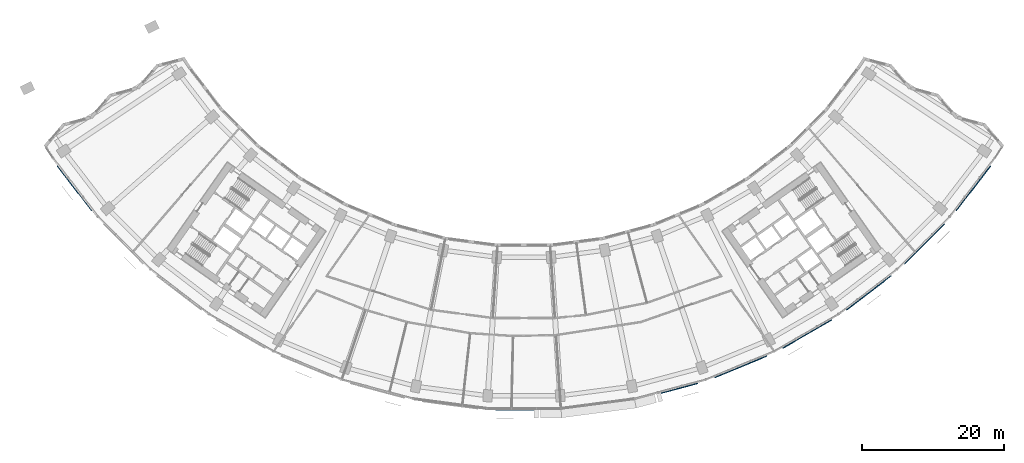
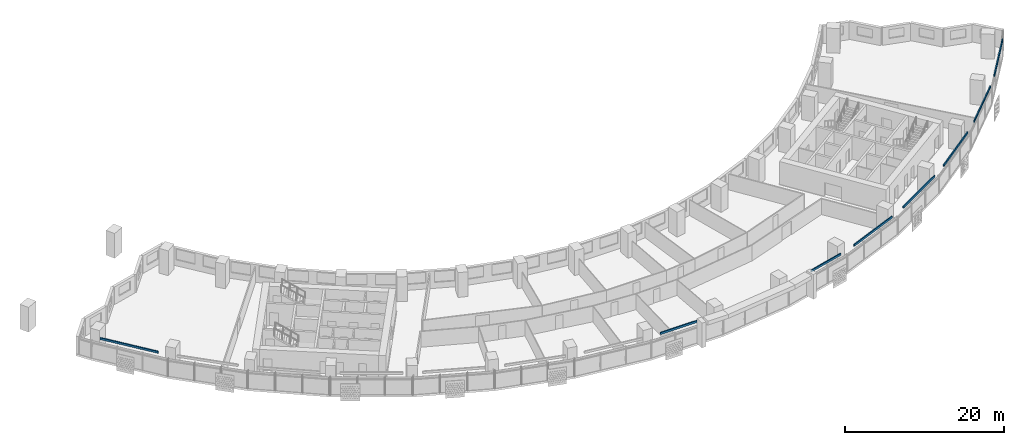
# One storey, part 9 of 31: 8 discrete accessories.
"""IFC4 building model written with IfcOpenShell, lengths in metres."""

from ifc_helpers import new_model, si_unit, direction, frame, origin, origin_2d, place, context, subcontext, project, spatial, rectangle, extrude, material, type_object, element, save


model = new_model("IFC4")

# Units and contexts
model_context = context("Model", 3, precision=1e-05, world=origin(), true_north=direction((0.0, 1.0)))
body_context = subcontext(model_context, "Body", "Model", "MODEL_VIEW")
ifc_project = project(units=[si_unit("LENGTHUNIT", "METRE"), si_unit("AREAUNIT", "SQUARE_METRE"), si_unit("VOLUMEUNIT", "CUBIC_METRE"), si_unit("PLANEANGLEUNIT", "RADIAN"), si_unit("MASSUNIT", "GRAM", prefix="KILO")], contexts=[model_context])

# Site, building, storey
site_placement = place(None, origin())
site = spatial("IfcSite", under=ifc_project, at=site_placement, CompositionType="ELEMENT")
building_placement = place(site_placement, origin())
building = spatial("IfcBuilding", under=site, at=building_placement, Name="Qamariyya Broadcast Tower", CompositionType="ELEMENT")
storey_placement = place(building_placement, frame((0.0, 0.0, 51.89990234375)))
storey = spatial("IfcBuildingStorey", under=building, at=storey_placement, Name="L09", CompositionType="ELEMENT", Elevation=51.89990234375)

# Discrete accessories
ifc_material = material(Name="Stainless steel 316", Category="steel")
discrete_accessory_type = type_object("IfcDiscreteAccessoryType", Name="Slab edge fixing angle, stainless steel", PredefinedType="BRACKET", material=ifc_material)
discrete_accessory_placement = place(storey_placement, frame((-63.11474609375, -48.4296875, 3.30029296875), z_axis=(0.0, 0.0, 1.0), x_axis=(0.608761429009, -0.793353340291, 0.0)))
element("IfcDiscreteAccessory", 1, at=discrete_accessory_placement, inside=storey, type_object=discrete_accessory_type, Name="e-br-L09-01-0", PredefinedType="BRACKET", context=body_context, shape_type="SweptSolid", body=[
    extrude(rectangle(XDim=7.9140625, YDim=0.14990234375, at=origin_2d()), origin(), (0.0, 0.0, 1.0), 0.300048828125),
])
for number, where, z_axis, x_axis, name in (
    (2, (-1.30224609375, -79.554443359375, 3.30029296875), (0.0, 0.0, 1.0), (1.0, 0.0, 0.0), "e-br-L09-08-0"),
    (3, (21.84814453125, -76.506591796875, 3.30029296875), (0.0, 0.0, 1.0), (0.965925826289, 0.258819045103, 0.0), "e-br-L09-10-0"),
):
    element("IfcDiscreteAccessory", number, at=place(storey_placement, frame(where, z_axis=z_axis, x_axis=x_axis)), inside=storey, type_object=discrete_accessory_type, Name=name, PredefinedType="BRACKET", context=body_context, shape_type="SweptSolid", body=[
        extrude(rectangle(XDim=5.309326171875, YDim=0.14990234375, at=origin_2d()), origin(), (0.0, 0.0, 1.0), 0.300048828125),
    ])
for number, where, z_axis, x_axis, name in (
    (4, (30.444091796875, -73.498779296875, 3.30029296875), (0.0, 0.0, 1.0), (0.923879532511, 0.382683432365, 0.0), "e-br-L09-11-0"),
    (5, (39.77734375, -68.896240234375, 3.30029296875), (0.0, 0.0, 1.0), (0.866025403784, 0.5, 0.0), "e-br-L09-12-0"),
    (6, (48.4296875, -63.11474609375, 3.30029296875), (0.0, 0.0, 1.0), (0.793353340291, 0.608761429009, 0.0), "e-br-L09-13-0"),
    (7, (56.25341796875, -56.25341796875, 3.30029296875), (0.0, 0.0, 1.0), (0.707106781187, 0.707106781187, 0.0), "e-br-L09-14-0"),
    (8, (63.11474609375, -48.4296875, 3.30029296875), (0.0, 0.0, 1.0), (0.608761429009, 0.793353340291, 0.0), "e-br-L09-15-0"),
):
    element("IfcDiscreteAccessory", number, at=place(storey_placement, frame(where, z_axis=z_axis, x_axis=x_axis)), inside=storey, type_object=discrete_accessory_type, Name=name, PredefinedType="BRACKET", context=body_context, shape_type="SweptSolid", body=[
        extrude(rectangle(XDim=7.9140625, YDim=0.14990234375, at=origin_2d()), origin(), (0.0, 0.0, 1.0), 0.300048828125),
    ])

save(model, "model.ifc")
